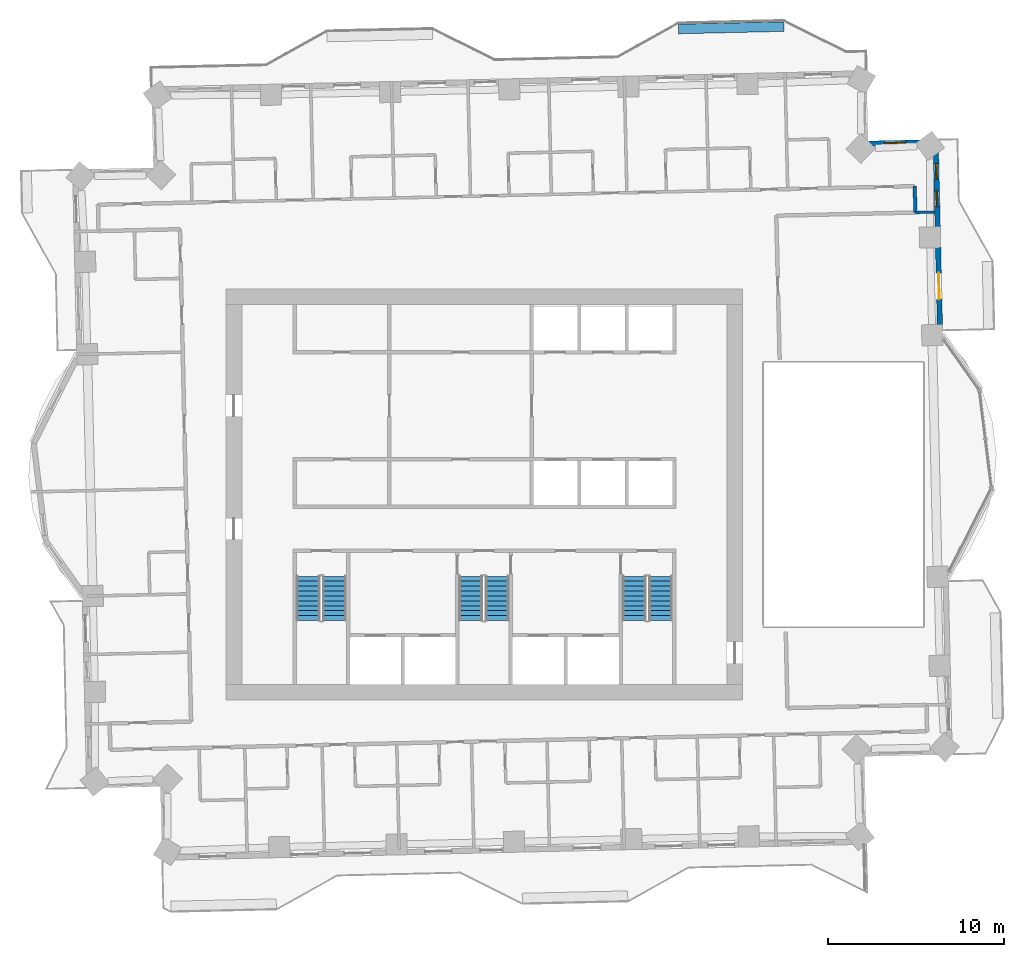
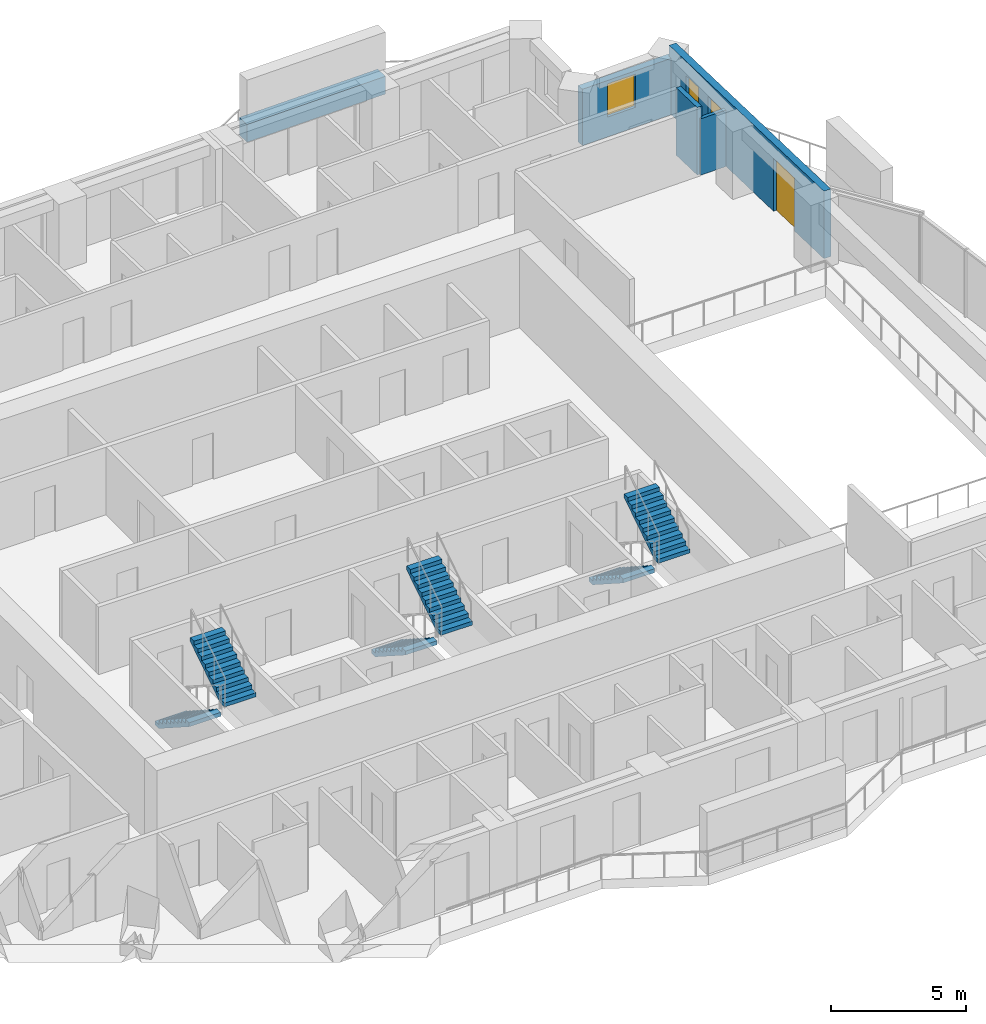
# One storey, part 12 of 16: 6 stair flights, 5 walls, 3 windows, 1 door, 4 openings, 3 elements without a shape of their own.
"""IFC4 building model written with IfcOpenShell, lengths in metres."""

from ifc_helpers import new_model, si_unit, direction, frame, frame_2d, origin, place, context, subcontext, project, spatial, polyline, rectangle, outline, extrude, material, layer, layer_set, type_object, element, fill, aggregate, save


model = new_model("IFC4")

# Units and contexts
model_context = context("Model", 3, precision=1e-05, world=origin(), true_north=direction((0.0, 1.0)))
body_context = subcontext(model_context, "Body", "Model", "MODEL_VIEW")
ifc_project = project(units=[si_unit("LENGTHUNIT", "METRE"), si_unit("AREAUNIT", "SQUARE_METRE"), si_unit("VOLUMEUNIT", "CUBIC_METRE"), si_unit("PLANEANGLEUNIT", "RADIAN"), si_unit("MASSUNIT", "GRAM", prefix="KILO")], contexts=[model_context])

# Site, building, storey
site_placement = place(None, origin())
site = spatial("IfcSite", under=ifc_project, at=site_placement, CompositionType="ELEMENT")
building_placement = place(site_placement, origin())
building = spatial("IfcBuilding", under=site, at=building_placement, Name="Mangrove Gate Tower", CompositionType="ELEMENT")
storey_placement = place(building_placement, frame((0.0, 0.0, 175.300048828125)))
storey = spatial("IfcBuildingStorey", under=building, at=storey_placement, Name="L44", CompositionType="ELEMENT", Elevation=175.300048828125)

# Wall
ifc_material_1 = material(Name="Gypsum board on steel stud, EI 60", Category="steel")
ifc_layer_1 = layer(ifc_material_1, 0.199951171875)
ifc_layer_set_1 = layer_set([ifc_layer_1], Name="Corridor wall EI 60")
wall_type_1 = type_object("IfcWallType", Name="Corridor wall EI 60", PredefinedType="PARTITIONING", material=ifc_layer_set_1)
wall_1_placement = place(storey_placement, frame((24.51904296875, 16.048095703125, 0.0), z_axis=(0.0, 0.0, 1.0), x_axis=(-0.022632637625, 0.99974384905, 0.0)))
element("IfcWall", 1, at=wall_1_placement, inside=storey, type_object=wall_type_1, Name="WALL-L44-047", PredefinedType="PARTITIONING", context=body_context, shape_type="SweptSolid", body=[
    extrude(rectangle(XDim=1.49951171875, YDim=0.199951171875, at=frame_2d((0.749755859375, 0.0))), origin(), (0.0, 0.0, 1.0), 3.050048828125),
])

# Wall, openings, door, windows
ifc_material_2 = material(Name="Limestone", Category="masonry")
ifc_layer_2 = layer(ifc_material_2, 0.0400390625, Name="Limestone cladding")
ifc_material_3 = material(Name="Ventilated air gap")
ifc_layer_3 = layer(ifc_material_3, 0.0400390625, Name="Ventilated cavity")
ifc_material_4 = material(Name="Mineral wool insulation")
ifc_layer_4 = layer(ifc_material_4, 0.06005859375, Name="Insulation")
ifc_material_5 = material(Name="Breather membrane")
ifc_layer_5 = layer(ifc_material_5, 0.001953125, Name="Breather membrane")
ifc_material_6 = material(Name="Concrete C20/25 blockwork", Category="masonry")
ifc_layer_6 = layer(ifc_material_6, 0.14990234375, Name="Blockwork backing wall")
ifc_material_7 = material(Name="Gypsum plaster")
ifc_layer_7 = layer(ifc_material_7, 0.008056640625, Name="Internal plaster")
ifc_layer_set_2 = layer_set([ifc_layer_2, ifc_layer_3, ifc_layer_4, ifc_layer_5, ifc_layer_6, ifc_layer_7], Name="External wall 300 limestone cladding")
wall_type_2 = type_object("IfcWallType", Name="External wall 300 limestone cladding", PredefinedType="SOLIDWALL", material=ifc_layer_set_2)
wall_2_placement = place(storey_placement, frame((25.928955078125, 9.02490234375, 0.0), z_axis=(0.0, 0.0, 1.0), x_axis=(-0.022667601583, 0.999743056909, 0.0)))
wall_2 = element("IfcWall", 2, at=wall_2_placement, inside=storey, type_object=wall_type_2, Name="WALL-L44-E2", PredefinedType="SOLIDWALL", context=body_context, shape_type="SweptSolid", body=[
    extrude(rectangle(XDim=11.029052734375, YDim=0.300048828125, at=frame_2d((5.5146484375, 0.0))), origin(), (0.0, 0.0, 1.0), 3.050048828125),
])
opening_1_placement = place(wall_2_placement, frame((2.0859375, 0.0, 0.0)))
opening_1 = element("IfcOpeningElement", 3, at=opening_1_placement, cuts=wall_2, Name="Opening BD1", PredefinedType="OPENING", context=body_context, shape_type="SweptSolid", body=[
    extrude(rectangle(XDim=1.5, YDim=2.39990234375, at=frame_2d((0.75, 1.199951171875))), frame((0.0, 0.159912109375, 0.0), z_axis=(0.0, -1.0, 0.0), x_axis=(1.0, 0.0, 0.0)), (0.0, 0.0, 1.0), 0.320068359375),
])
opening_2_placement = place(wall_2_placement, frame((7.35302734375, 0.0, 0.89990234375)))
opening_2 = element("IfcOpeningElement", 4, at=opening_2_placement, cuts=wall_2, Name="Opening W5", PredefinedType="OPENING", context=body_context, shape_type="SweptSolid", body=[
    extrude(rectangle(XDim=0.89990234375, YDim=1.5, at=frame_2d((0.449951171875, 0.75))), frame((0.0, 0.159912109375, 0.0), z_axis=(0.0, -1.0, 0.0), x_axis=(1.0, 0.0, 0.0)), (0.0, 0.0, 1.0), 0.320068359375),
])
opening_3_placement = place(wall_2_placement, frame((8.922119140625, 0.0, 0.89990234375)))
opening_3 = element("IfcOpeningElement", 5, at=opening_3_placement, cuts=wall_2, Name="Opening W5", PredefinedType="OPENING", context=body_context, shape_type="SweptSolid", body=[
    extrude(rectangle(XDim=0.89990234375, YDim=1.5, at=frame_2d((0.449951171875, 0.75))), frame((0.0, 0.159912109375, 0.0), z_axis=(0.0, -1.0, 0.0), x_axis=(1.0, 0.0, 0.0)), (0.0, 0.0, 1.0), 0.320068359375),
])
ifc_material_8 = material(Name="Aluminium frame with laminated clear glass", Category="aluminium")
door_type = type_object("IfcDoorType", Name="Balcony sliding door 1500x2400", OperationType="SLIDING_TO_LEFT", PredefinedType="DOOR", material=ifc_material_8)
door_placement = place(opening_1_placement, origin())
door = element("IfcDoor", 6, at=door_placement, inside=storey, type_object=door_type, Name="DOOR-L44-E2-1", OperationType="SLIDING_TO_LEFT", OverallHeight=2.39990234375, OverallWidth=1.5, PredefinedType="DOOR", context=body_context, shape_type="SweptSolid", body=[
    extrude(rectangle(XDim=1.5, YDim=2.39990234375, at=frame_2d((0.75, 1.199951171875))), frame((0.0, 0.02490234375, 0.0), z_axis=(0.0, -1.0, 0.0), x_axis=(1.0, 0.0, 0.0)), (0.0, 0.0, 1.0), 0.050048828125),
])
fill(opening_1, door)
ifc_material_9 = material(Name="Aluminium frame with double-glazed low-e glass", Category="aluminium")
window_type_1 = type_object("IfcWindowType", Name="Narrow window 900x1500", PartitioningType="SINGLE_PANEL", PredefinedType="WINDOW", material=ifc_material_9)
window_1_placement = place(opening_2_placement, origin())
window_1 = element("IfcWindow", 7, at=window_1_placement, inside=storey, type_object=window_type_1, Name="WIN-L44-E2-2", OverallHeight=1.5, OverallWidth=0.89990234375, PartitioningType="SINGLE_PANEL", PredefinedType="WINDOW", context=body_context, shape_type="SweptSolid", body=[
    extrude(rectangle(XDim=0.89990234375, YDim=1.5, at=frame_2d((0.449951171875, 0.75))), frame((0.0, 0.030029296875, 0.0), z_axis=(0.0, -1.0, 0.0), x_axis=(1.0, 0.0, 0.0)), (0.0, 0.0, 1.0), 0.06005859375),
])
fill(opening_2, window_1)
window_2_placement = place(opening_3_placement, origin())
window_2 = element("IfcWindow", 8, at=window_2_placement, inside=storey, type_object=window_type_1, Name="WIN-L44-E2-3", OverallHeight=1.5, OverallWidth=0.89990234375, PartitioningType="SINGLE_PANEL", PredefinedType="WINDOW", context=body_context, shape_type="SweptSolid", body=[
    extrude(rectangle(XDim=0.89990234375, YDim=1.5, at=frame_2d((0.449951171875, 0.75))), frame((0.0, 0.030029296875, 0.0), z_axis=(0.0, -1.0, 0.0), x_axis=(1.0, 0.0, 0.0)), (0.0, 0.0, 1.0), 0.06005859375),
])
fill(opening_3, window_2)

# Wall, opening, window
wall_3_placement = place(storey_placement, frame((25.678955078125, 20.051025390625, 0.0), z_axis=(0.0, 0.0, 1.0), x_axis=(-0.999740826251, -0.022765770952, 0.0)))
wall_3 = element("IfcWall", 9, at=wall_3_placement, inside=storey, type_object=wall_type_2, Name="WALL-L44-N3", PredefinedType="SOLIDWALL", context=body_context, shape_type="SweptSolid", body=[
    extrude(rectangle(XDim=4.0, YDim=0.300048828125, at=frame_2d((2.0, 0.0))), origin(), (0.0, 0.0, 1.0), 2.550048828125),
])
opening_4_placement = place(wall_3_placement, frame((1.699951171875, 0.0, 0.89990234375)))
opening_4 = element("IfcOpeningElement", 10, at=opening_4_placement, cuts=wall_3, Name="Opening W1", PredefinedType="OPENING", context=body_context, shape_type="SweptSolid", body=[
    extrude(rectangle(XDim=1.199951171875, YDim=1.5, at=frame_2d((0.60009765625, 0.75))), frame((0.0, 0.159912109375, 0.0), z_axis=(0.0, -1.0, 0.0), x_axis=(1.0, 0.0, 0.0)), (0.0, 0.0, 1.0), 0.320068359375),
])
ifc_material_10 = material(Name="Aluminium frame with double-glazed low-e glass", Category="aluminium")
window_type_2 = type_object("IfcWindowType", Name="Side lite 1200x1500", PartitioningType="SINGLE_PANEL", PredefinedType="WINDOW", material=ifc_material_10)
window_3_placement = place(opening_4_placement, origin())
window_3 = element("IfcWindow", 11, at=window_3_placement, inside=storey, type_object=window_type_2, Name="WIN-L44-N3-1", OverallHeight=1.5, OverallWidth=1.199951171875, PartitioningType="SINGLE_PANEL", PredefinedType="WINDOW", context=body_context, shape_type="SweptSolid", body=[
    extrude(rectangle(XDim=1.199951171875, YDim=1.5, at=frame_2d((0.60009765625, 0.75))), frame((0.0, 0.030029296875, 0.0), z_axis=(0.0, -1.0, 0.0), x_axis=(1.0, 0.0, 0.0)), (0.0, 0.0, 1.0), 0.06005859375),
])
fill(opening_4, window_3)

# Walls
ifc_material_11 = material(Name="Gypsum board on steel stud, EI 60", Category="steel")
ifc_layer_8 = layer(ifc_material_11, 0.14990234375)
ifc_layer_set_3 = layer_set([ifc_layer_8], Name="Party wall 150 EI 60")
wall_type_3 = type_object("IfcWallType", Name="Party wall 150 EI 60", PredefinedType="PARTITIONING", material=ifc_layer_set_3)
wall_4_placement = place(storey_placement, frame((24.51904296875, 16.0439453125, 0.0), z_axis=(0.0, 0.0, 1.0), x_axis=(0.999738732953, 0.022857511541, 0.0)))
element("IfcWall", 12, at=wall_4_placement, inside=storey, type_object=wall_type_3, Name="WALL-L44-045", PredefinedType="PARTITIONING", context=body_context, shape_type="SweptSolid", body=[
    extrude(rectangle(XDim=1.10009765625, YDim=0.14990234375, at=frame_2d((0.550048828125, 0.0))), origin(), (0.0, 0.0, 1.0), 2.550048828125),
])
ifc_material_12 = material(Name="Concrete C32/40", Category="concrete")
ifc_layer_9 = layer(ifc_material_12, 0.199951171875, Name="Planter trough wall")
ifc_material_13 = material(Name="Bituminous waterproofing membrane")
ifc_layer_10 = layer(ifc_material_13, 0.0048828125, Name="Waterproofing")
ifc_material_14 = material(Name="Drainage board and gravel")
ifc_layer_11 = layer(ifc_material_14, 0.044921875, Name="Drainage layer")
ifc_material_15 = material(Name="Planting soil")
ifc_layer_12 = layer(ifc_material_15, 0.300048828125, Name="Growing medium")
ifc_layer_set_4 = layer_set([ifc_layer_9, ifc_layer_10, ifc_layer_11, ifc_layer_12], Name="Planter wall 550 C32/40")
wall_type_4 = type_object("IfcWallType", Name="Planter wall 550 C32/40", PredefinedType="USERDEFINED", material=ifc_layer_set_4)
wall_5_placement = place(storey_placement, frame((11.0390625, 26.486083984375, 0.0), z_axis=(0.0, 0.0, 1.0), x_axis=(0.999743094499, 0.022665943652, 0.0)))
element("IfcWall", 13, at=wall_5_placement, inside=storey, type_object=wall_type_4, Name="PLANTER L44 N0.1", ObjectType="PLANTER", PredefinedType="USERDEFINED", context=body_context, shape_type="SweptSolid", body=[
    extrude(rectangle(XDim=5.99951171875, YDim=0.550048828125, at=frame_2d((2.999755859375, 0.0))), origin(), (0.0, 0.0, 1.0), 0.800048828125),
])

# Stair, stair flights
ifc_material_16 = material(Name="Concrete C40/50", Category="concrete")
stair_type = type_object("IfcStairType", Name="Core stair 1350", PredefinedType="HALF_TURN_STAIR", material=ifc_material_16)
stair_1_placement = place(storey_placement, origin())
stair_1 = element("IfcStair", 14, at=stair_1_placement, inside=storey, type_object=stair_type, Name="L44 Stair 1", PredefinedType="HALF_TURN_STAIR")
ifc_material_17 = material(Name="Concrete C40/50", Category="concrete")
stair_flight_type = type_object("IfcStairFlightType", Name="Core stair flight 1350", PredefinedType="STRAIGHT", material=ifc_material_17)
stair_flight_1_placement = place(storey_placement, frame((-10.02490234375, -4.64990234375, 0.0), z_axis=(0.0, 0.0, 1.0), x_axis=(0.0, -1.0, 0.0)))
stair_flight_1 = element("IfcStairFlight", 15, at=stair_flight_1_placement, type_object=stair_flight_type, Name="ST1 flight 1", NumberOfRisers=10, NumberOfTreads=9, PredefinedType="STRAIGHT", RiserHeight=0.18, TreadLength=0.28, context=body_context, shape_type="SweptSolid", body=[
    extrude(outline(polyline([(0.0, 0.0), (0.0, 0.179931640625), (0.280029296875, 0.179931640625), (0.280029296875, 0.360107421875), (0.56005859375, 0.360107421875), (0.56005859375, 0.5400390625), (0.840087890625, 0.5400390625), (0.840087890625, 0.719970703125), (1.1201171875, 0.719970703125), (1.1201171875, 0.89990234375), (1.39990234375, 0.89990234375), (1.39990234375, 1.080078125), (1.679931640625, 1.080078125), (1.679931640625, 1.260009765625), (1.9599609375, 1.260009765625), (1.9599609375, 1.43994140625), (2.239990234375, 1.43994140625), (2.239990234375, 1.6201171875), (2.52001953125, 1.6201171875), (2.52001953125, 1.800048828125), (2.52001953125, 1.44189453125), (0.277099609375, 0.0), (0.0, 0.0)])), frame((0.0, 0.675048828125, 0.0), z_axis=(0.0, -1.0, 0.0), x_axis=(1.0, 0.0, 0.0)), (0.0, 0.0, 1.0), 1.35009765625),
])
stair_flight_2_placement = place(storey_placement, frame((-8.52490234375, -7.169921875, 1.800048828125), z_axis=(0.0, 0.0, 1.0), x_axis=(0.0, 1.0, 0.0)))
stair_flight_2 = element("IfcStairFlight", 16, at=stair_flight_2_placement, type_object=stair_flight_type, Name="ST1 flight 2", NumberOfRisers=10, NumberOfTreads=9, PredefinedType="STRAIGHT", RiserHeight=0.18, TreadLength=0.28, context=body_context, shape_type="SweptSolid", body=[
    extrude(outline(polyline([(0.0, 0.0), (0.0, 0.179931640625), (0.280029296875, 0.179931640625), (0.280029296875, 0.360107421875), (0.56005859375, 0.360107421875), (0.56005859375, 0.5400390625), (0.840087890625, 0.5400390625), (0.840087890625, 0.719970703125), (1.1201171875, 0.719970703125), (1.1201171875, 0.89990234375), (1.39990234375, 0.89990234375), (1.39990234375, 1.080078125), (1.679931640625, 1.080078125), (1.679931640625, 1.260009765625), (1.9599609375, 1.260009765625), (1.9599609375, 1.43994140625), (2.239990234375, 1.43994140625), (2.239990234375, 1.6201171875), (2.52001953125, 1.6201171875), (2.52001953125, 1.800048828125), (2.52001953125, 1.44189453125), (0.277099609375, 0.0), (0.0, 0.0)])), frame((0.0, 0.675048828125, 0.0), z_axis=(0.0, -1.0, 0.0), x_axis=(1.0, 0.0, 0.0)), (0.0, 0.0, 1.0), 1.35009765625),
])
aggregate(stair_1, [stair_flight_1, stair_flight_2])

stair_2_placement = place(storey_placement, origin())
stair_2 = element("IfcStair", 17, at=stair_2_placement, inside=storey, type_object=stair_type, Name="L44 Stair 2", PredefinedType="HALF_TURN_STAIR")
stair_flight_3_placement = place(storey_placement, frame((-0.77490234375, -4.64990234375, 0.0), z_axis=(0.0, 0.0, 1.0), x_axis=(0.0, -1.0, 0.0)))
stair_flight_3 = element("IfcStairFlight", 18, at=stair_flight_3_placement, type_object=stair_flight_type, Name="ST2 flight 1", NumberOfRisers=10, NumberOfTreads=9, PredefinedType="STRAIGHT", RiserHeight=0.18, TreadLength=0.28, context=body_context, shape_type="SweptSolid", body=[
    extrude(outline(polyline([(0.0, 0.0), (0.0, 0.179931640625), (0.280029296875, 0.179931640625), (0.280029296875, 0.360107421875), (0.56005859375, 0.360107421875), (0.56005859375, 0.5400390625), (0.840087890625, 0.5400390625), (0.840087890625, 0.719970703125), (1.1201171875, 0.719970703125), (1.1201171875, 0.89990234375), (1.39990234375, 0.89990234375), (1.39990234375, 1.080078125), (1.679931640625, 1.080078125), (1.679931640625, 1.260009765625), (1.9599609375, 1.260009765625), (1.9599609375, 1.43994140625), (2.239990234375, 1.43994140625), (2.239990234375, 1.6201171875), (2.52001953125, 1.6201171875), (2.52001953125, 1.800048828125), (2.52001953125, 1.44189453125), (0.277099609375, 0.0), (0.0, 0.0)])), frame((0.0, 0.675048828125, 0.0), z_axis=(0.0, -1.0, 0.0), x_axis=(1.0, 0.0, 0.0)), (0.0, 0.0, 1.0), 1.35009765625),
])
stair_flight_4_placement = place(storey_placement, frame((0.72509765625, -7.169921875, 1.800048828125), z_axis=(0.0, 0.0, 1.0), x_axis=(0.0, 1.0, 0.0)))
stair_flight_4 = element("IfcStairFlight", 19, at=stair_flight_4_placement, type_object=stair_flight_type, Name="ST2 flight 2", NumberOfRisers=10, NumberOfTreads=9, PredefinedType="STRAIGHT", RiserHeight=0.18, TreadLength=0.28, context=body_context, shape_type="SweptSolid", body=[
    extrude(outline(polyline([(0.0, 0.0), (0.0, 0.179931640625), (0.280029296875, 0.179931640625), (0.280029296875, 0.360107421875), (0.56005859375, 0.360107421875), (0.56005859375, 0.5400390625), (0.840087890625, 0.5400390625), (0.840087890625, 0.719970703125), (1.1201171875, 0.719970703125), (1.1201171875, 0.89990234375), (1.39990234375, 0.89990234375), (1.39990234375, 1.080078125), (1.679931640625, 1.080078125), (1.679931640625, 1.260009765625), (1.9599609375, 1.260009765625), (1.9599609375, 1.43994140625), (2.239990234375, 1.43994140625), (2.239990234375, 1.6201171875), (2.52001953125, 1.6201171875), (2.52001953125, 1.800048828125), (2.52001953125, 1.44189453125), (0.277099609375, 0.0), (0.0, 0.0)])), frame((0.0, 0.675048828125, 0.0), z_axis=(0.0, -1.0, 0.0), x_axis=(1.0, 0.0, 0.0)), (0.0, 0.0, 1.0), 1.35009765625),
])
aggregate(stair_2, [stair_flight_3, stair_flight_4])

stair_3_placement = place(storey_placement, origin())
stair_3 = element("IfcStair", 20, at=stair_3_placement, inside=storey, type_object=stair_type, Name="L44 Stair 3", PredefinedType="HALF_TURN_STAIR")
stair_flight_5_placement = place(storey_placement, frame((8.52490234375, -4.64990234375, 0.0), z_axis=(0.0, 0.0, 1.0), x_axis=(0.0, -1.0, 0.0)))
stair_flight_5 = element("IfcStairFlight", 21, at=stair_flight_5_placement, type_object=stair_flight_type, Name="ST3 flight 1", NumberOfRisers=10, NumberOfTreads=9, PredefinedType="STRAIGHT", RiserHeight=0.18, TreadLength=0.28, context=body_context, shape_type="SweptSolid", body=[
    extrude(outline(polyline([(0.0, 0.0), (0.0, 0.179931640625), (0.280029296875, 0.179931640625), (0.280029296875, 0.360107421875), (0.56005859375, 0.360107421875), (0.56005859375, 0.5400390625), (0.840087890625, 0.5400390625), (0.840087890625, 0.719970703125), (1.1201171875, 0.719970703125), (1.1201171875, 0.89990234375), (1.39990234375, 0.89990234375), (1.39990234375, 1.080078125), (1.679931640625, 1.080078125), (1.679931640625, 1.260009765625), (1.9599609375, 1.260009765625), (1.9599609375, 1.43994140625), (2.239990234375, 1.43994140625), (2.239990234375, 1.6201171875), (2.52001953125, 1.6201171875), (2.52001953125, 1.800048828125), (2.52001953125, 1.44189453125), (0.277099609375, 0.0), (0.0, 0.0)])), frame((0.0, 0.675048828125, 0.0), z_axis=(0.0, -1.0, 0.0), x_axis=(1.0, 0.0, 0.0)), (0.0, 0.0, 1.0), 1.35009765625),
])
stair_flight_6_placement = place(storey_placement, frame((10.02490234375, -7.169921875, 1.800048828125), z_axis=(0.0, 0.0, 1.0), x_axis=(0.0, 1.0, 0.0)))
stair_flight_6 = element("IfcStairFlight", 22, at=stair_flight_6_placement, type_object=stair_flight_type, Name="ST3 flight 2", NumberOfRisers=10, NumberOfTreads=9, PredefinedType="STRAIGHT", RiserHeight=0.18, TreadLength=0.28, context=body_context, shape_type="SweptSolid", body=[
    extrude(outline(polyline([(0.0, 0.0), (0.0, 0.179931640625), (0.280029296875, 0.179931640625), (0.280029296875, 0.360107421875), (0.56005859375, 0.360107421875), (0.56005859375, 0.5400390625), (0.840087890625, 0.5400390625), (0.840087890625, 0.719970703125), (1.1201171875, 0.719970703125), (1.1201171875, 0.89990234375), (1.39990234375, 0.89990234375), (1.39990234375, 1.080078125), (1.679931640625, 1.080078125), (1.679931640625, 1.260009765625), (1.9599609375, 1.260009765625), (1.9599609375, 1.43994140625), (2.239990234375, 1.43994140625), (2.239990234375, 1.6201171875), (2.52001953125, 1.6201171875), (2.52001953125, 1.800048828125), (2.52001953125, 1.44189453125), (0.277099609375, 0.0), (0.0, 0.0)])), frame((0.0, 0.675048828125, 0.0), z_axis=(0.0, -1.0, 0.0), x_axis=(1.0, 0.0, 0.0)), (0.0, 0.0, 1.0), 1.35009765625),
])
aggregate(stair_3, [stair_flight_5, stair_flight_6])

save(model, "model.ifc")
